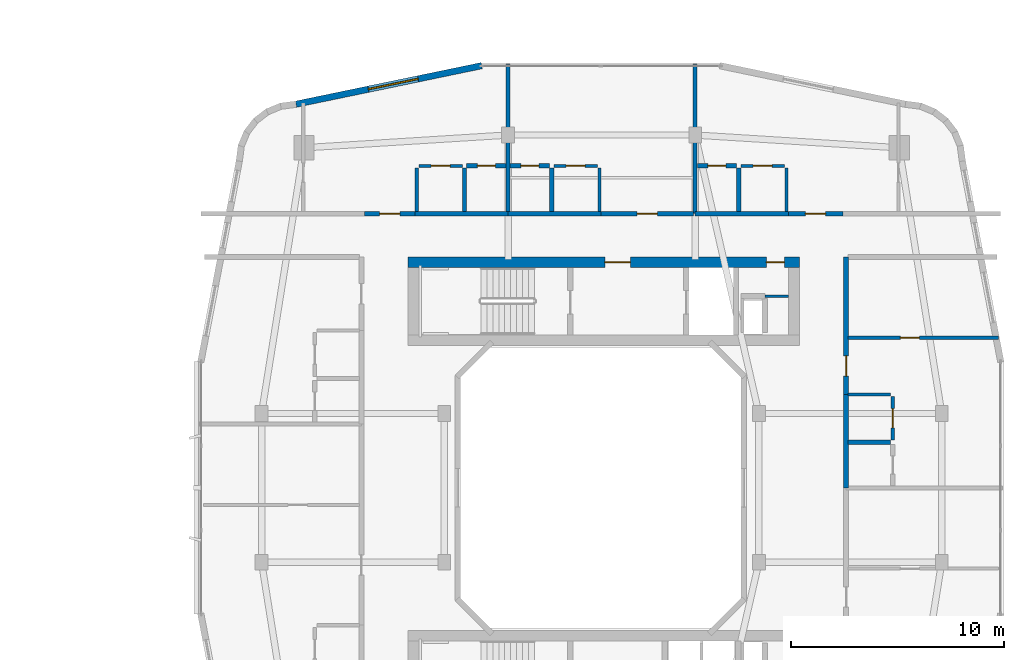
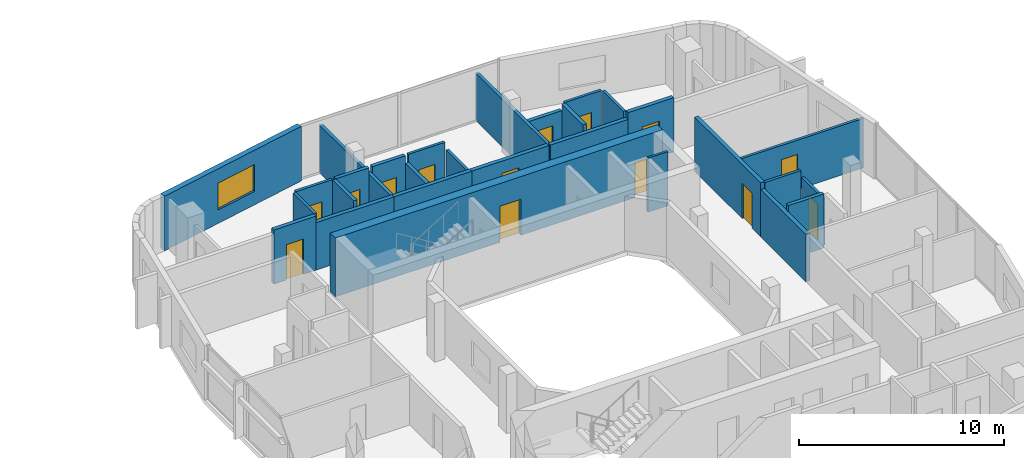
# One storey, part 20 of 27: 29 walls, 14 doors, 1 window, 15 openings.
"""IFC4 building model written with IfcOpenShell, lengths in metres."""

from ifc_helpers import new_model, si_unit, derived_unit, direction, frame, frame_2d, origin, place, context, subcontext, project, spatial, rectangle, extrude, material, layer, layer_set, type_object, element, fill, save


model = new_model("IFC4")

# Units and contexts
model_context = context("Model", 3, precision=1e-05, world=origin(), true_north=direction((0.0, 1.0)))
body_context = subcontext(model_context, "Body", "Model", "MODEL_VIEW")
ifc_project = project(units=[si_unit("LENGTHUNIT", "METRE"), si_unit("AREAUNIT", "SQUARE_METRE"), si_unit("VOLUMEUNIT", "CUBIC_METRE"), si_unit("PLANEANGLEUNIT", "RADIAN"), si_unit("MASSUNIT", "GRAM", prefix="KILO"), derived_unit("THERMALTRANSMITTANCEUNIT", [(si_unit("POWERUNIT", "WATT"), 1), (si_unit("LENGTHUNIT", "METRE"), -2), (si_unit("THERMODYNAMICTEMPERATUREUNIT", "KELVIN"), -1)])], contexts=[model_context])

# Site, building, storey
site_placement = place(None, origin())
site = spatial("IfcSite", under=ifc_project, at=site_placement, CompositionType="ELEMENT")
building_placement = place(site_placement, origin())
building = spatial("IfcBuilding", under=site, at=building_placement, Name="Kivonza Crest Hotel", CompositionType="ELEMENT")
storey_placement = place(building_placement, frame((0.0, 0.0, 76.5)))
storey = spatial("IfcBuildingStorey", under=building, at=storey_placement, Name="L20", CompositionType="ELEMENT", Elevation=76.5)

# Walls
ifc_material_1 = material(Name="High-density acoustic masonry inter-tenancy wall", Category="masonry")
ifc_layer_1 = layer(ifc_material_1, 0.179931640625)
ifc_layer_set_1 = layer_set([ifc_layer_1], Name="High-density acoustic masonry inter-tenancy wall")
wall_type_1 = type_object("IfcWallType", Name="WL-ACOU-180", PredefinedType="SOLIDWALL", material=ifc_layer_set_1)
for number, where, z_axis, x_axis, name in (
    (1, (72.60009765625, 37.89990234375, 0.0), (0.0, 0.0, 1.0), (0.0, 1.0, 0.0), "L20 interior partition WA-L20-T2N-DIV1"),
    (2, (81.39990234375, 37.89990234375, 0.0), (0.0, 0.0, 1.0), (0.0, 1.0, 0.0), "L20 interior partition WA-L20-T2N-DIV2"),
):
    element("IfcWall", number, at=place(storey_placement, frame(where, z_axis=z_axis, x_axis=x_axis)), inside=storey, type_object=wall_type_1, Name=name, PredefinedType="SOLIDWALL", context=body_context, shape_type="SweptSolid", body=[
        extrude(rectangle(XDim=7.0400390625, YDim=0.179931640625, at=frame_2d((3.52001953125, 0.0))), origin(), (0.0, 0.0, 1.0), 2.824951171875),
    ])
ifc_material_2 = material(Name="Autoclaved aerated concrete blockwork", Category="masonry")
ifc_layer_2 = layer(ifc_material_2, 0.219970703125)
ifc_layer_set_2 = layer_set([ifc_layer_2], Name="Autoclaved aerated concrete blockwork")
wall_type_2 = type_object("IfcWallType", Name="WL-ACOU-220", PredefinedType="SOLIDWALL", material=ifc_layer_set_2)
wall_1_placement = place(storey_placement, frame((68.219970703125, 37.89990234375, 0.0), z_axis=(0.0, 0.0, 1.0), x_axis=(1.0, 0.0, 0.0)))
element("IfcWall", 3, at=wall_1_placement, inside=storey, type_object=wall_type_2, Name="L20 interior partition WA-L20-A01-RCORR", PredefinedType="SOLIDWALL", context=body_context, shape_type="SweptSolid", body=[
    extrude(rectangle(XDim=4.380126953125, YDim=0.219970703125, at=frame_2d((2.18994140625, 0.0))), origin(), (0.0, 0.0, 1.0), 2.824951171875),
])

# Wall, opening, door
wall_2_placement = place(storey_placement, frame((65.85009765625, 37.89990234375, 0.0), z_axis=(0.0, 0.0, 1.0), x_axis=(1.0, 0.0, 0.0)))
wall_2 = element("IfcWall", 4, at=wall_2_placement, inside=storey, type_object=wall_type_2, Name="L20 interior partition WA-L20-A01-MCORR", PredefinedType="SOLIDWALL", context=body_context, shape_type="SweptSolid", body=[
    extrude(rectangle(XDim=2.369873046875, YDim=0.219970703125, at=frame_2d((1.18505859375, 0.0))), origin(), (0.0, 0.0, 1.0), 3.219970703125),
])
opening_1_placement = place(wall_2_placement, frame((0.7099609375, 0.0, 0.0)))
opening_1 = element("IfcOpeningElement", 5, at=opening_1_placement, cuts=wall_2, Name="Opening DU-60", PredefinedType="OPENING", context=body_context, shape_type="SweptSolid", body=[
    extrude(rectangle(XDim=0.949951171875, YDim=2.10009765625, at=frame_2d((0.47509765625, 1.050048828125))), frame((0.0, 0.1201171875, 0.0), z_axis=(0.0, -1.0, 0.0), x_axis=(1.0, 0.0, 0.0)), (0.0, 0.0, 1.0), 0.239990234375),
])
ifc_material_3 = material(Name="Hardwood timber oak", Category="wood")
door_type_1 = type_object("IfcDoorType", Name="DR-UNIT-950", OperationType="NOTDEFINED", PredefinedType="DOOR", material=ifc_material_3)
door_1_placement = place(opening_1_placement, origin())
door_1 = element("IfcDoor", 6, at=door_1_placement, inside=storey, type_object=door_type_1, Name="L20 A01 apartment entrance fire door", OperationType="SINGLE_SWING_LEFT", OverallHeight=2.10009765625, OverallWidth=0.949951171875, PredefinedType="DOOR", context=body_context, shape_type="SweptSolid", body=[
    extrude(rectangle(XDim=0.949951171875, YDim=2.10009765625, at=frame_2d((0.47509765625, 1.050048828125))), frame((0.0, 0.02490234375, 0.0), z_axis=(0.0, -1.0, 0.0), x_axis=(1.0, 0.0, 0.0)), (0.0, 0.0, 1.0), 0.050048828125),
])
fill(opening_1, door_1)

# Wall
wall_3_placement = place(storey_placement, frame((72.60009765625, 37.89990234375, 0.0), z_axis=(0.0, 0.0, 1.0), x_axis=(1.0, 0.0, 0.0)))
element("IfcWall", 7, at=wall_3_placement, inside=storey, type_object=wall_type_2, Name="L20 interior partition WA-L20-A02-LCORR", PredefinedType="SOLIDWALL", context=body_context, shape_type="SweptSolid", body=[
    extrude(rectangle(XDim=4.3798828125, YDim=0.219970703125, at=frame_2d((2.18994140625, 0.0))), origin(), (0.0, 0.0, 1.0), 2.824951171875),
])

# Wall, opening, door
wall_4_placement = place(storey_placement, frame((76.97998046875, 37.89990234375, 0.0), z_axis=(0.0, 0.0, 1.0), x_axis=(1.0, 0.0, 0.0)))
wall_4 = element("IfcWall", 8, at=wall_4_placement, inside=storey, type_object=wall_type_2, Name="L20 interior partition WA-L20-A02-MCORR", PredefinedType="SOLIDWALL", context=body_context, shape_type="SweptSolid", body=[
    extrude(rectangle(XDim=4.340087890625, YDim=0.219970703125, at=frame_2d((2.169921875, 0.0))), origin(), (0.0, 0.0, 1.0), 2.824951171875),
])
opening_2_placement = place(wall_4_placement, frame((1.695068359375, 0.0, 0.0)))
opening_2 = element("IfcOpeningElement", 9, at=opening_2_placement, cuts=wall_4, Name="Opening DU-60", PredefinedType="OPENING", context=body_context, shape_type="SweptSolid", body=[
    extrude(rectangle(XDim=0.949951171875, YDim=2.10009765625, at=frame_2d((0.47509765625, 1.050048828125))), frame((0.0, 0.1201171875, 0.0), z_axis=(0.0, -1.0, 0.0), x_axis=(1.0, 0.0, 0.0)), (0.0, 0.0, 1.0), 0.239990234375),
])
door_2_placement = place(opening_2_placement, origin())
door_2 = element("IfcDoor", 10, at=door_2_placement, inside=storey, type_object=door_type_1, Name="L20 A02 apartment entrance fire door", OperationType="SINGLE_SWING_RIGHT", OverallHeight=2.10009765625, OverallWidth=0.949951171875, PredefinedType="DOOR", context=body_context, shape_type="SweptSolid", body=[
    extrude(rectangle(XDim=0.949951171875, YDim=2.10009765625, at=frame_2d((0.47509765625, 1.050048828125))), frame((0.0, 0.02490234375, 0.0), z_axis=(0.0, -1.0, 0.0), x_axis=(1.0, 0.0, 0.0)), (0.0, 0.0, 1.0), 0.050048828125),
])
fill(opening_2, door_2)

# Wall
wall_5_placement = place(storey_placement, frame((81.39990234375, 37.89990234375, 0.0), z_axis=(0.0, 0.0, 1.0), x_axis=(1.0, 0.0, 0.0)))
element("IfcWall", 11, at=wall_5_placement, inside=storey, type_object=wall_type_2, Name="L20 interior partition WA-L20-A03-LCORR", PredefinedType="SOLIDWALL", context=body_context, shape_type="SweptSolid", body=[
    extrude(rectangle(XDim=4.380126953125, YDim=0.219970703125, at=frame_2d((2.18994140625, 0.0))), origin(), (0.0, 0.0, 1.0), 2.824951171875),
])

# Wall, opening, door
wall_6_placement = place(storey_placement, frame((85.780029296875, 37.89990234375, 0.0), z_axis=(0.0, 0.0, 1.0), x_axis=(1.0, 0.0, 0.0)))
wall_6 = element("IfcWall", 12, at=wall_6_placement, inside=storey, type_object=wall_type_2, Name="L20 interior partition WA-L20-A03-MCORR", PredefinedType="SOLIDWALL", context=body_context, shape_type="SweptSolid", body=[
    extrude(rectangle(XDim=2.570068359375, YDim=0.219970703125, at=frame_2d((1.28515625, 0.0))), origin(), (0.0, 0.0, 1.0), 3.219970703125),
])
opening_3_placement = place(wall_6_placement, frame((0.81005859375, 0.0, 0.0)))
opening_3 = element("IfcOpeningElement", 13, at=opening_3_placement, cuts=wall_6, Name="Opening DU-60", PredefinedType="OPENING", context=body_context, shape_type="SweptSolid", body=[
    extrude(rectangle(XDim=0.949951171875, YDim=2.10009765625, at=frame_2d((0.47509765625, 1.050048828125))), frame((0.0, 0.1201171875, 0.0), z_axis=(0.0, -1.0, 0.0), x_axis=(1.0, 0.0, 0.0)), (0.0, 0.0, 1.0), 0.239990234375),
])
door_3_placement = place(opening_3_placement, origin())
door_3 = element("IfcDoor", 14, at=door_3_placement, inside=storey, type_object=door_type_1, Name="L20 A03 apartment entrance fire door", OperationType="SINGLE_SWING_LEFT", OverallHeight=2.10009765625, OverallWidth=0.949951171875, PredefinedType="DOOR", context=body_context, shape_type="SweptSolid", body=[
    extrude(rectangle(XDim=0.949951171875, YDim=2.10009765625, at=frame_2d((0.47509765625, 1.050048828125))), frame((0.0, 0.02490234375, 0.0), z_axis=(0.0, -1.0, 0.0), x_axis=(1.0, 0.0, 0.0)), (0.0, 0.0, 1.0), 0.050048828125),
])
fill(opening_3, door_3)

# Wall
wall_7_placement = place(storey_placement, frame((88.5, 25.0, 0.0), z_axis=(0.0, 0.0, 1.0), x_axis=(0.0, 1.0, 0.0)))
element("IfcWall", 15, at=wall_7_placement, inside=storey, type_object=wall_type_2, Name="L20 interior partition WA-L20-A09-BCORR", PredefinedType="SOLIDWALL", context=body_context, shape_type="SweptSolid", body=[
    extrude(rectangle(XDim=4.39990234375, YDim=0.219970703125, at=frame_2d((2.199951171875, 0.0))), origin(), (0.0, 0.0, 1.0), 2.824951171875),
])

# Wall, opening, door
wall_8_placement = place(storey_placement, frame((88.5, 29.39990234375, 0.0), z_axis=(0.0, 0.0, 1.0), x_axis=(0.0, 1.0, 0.0)))
wall_8 = element("IfcWall", 16, at=wall_8_placement, inside=storey, type_object=wall_type_2, Name="L20 interior partition WA-L20-A09-MCORR", PredefinedType="SOLIDWALL", context=body_context, shape_type="SweptSolid", body=[
    extrude(rectangle(XDim=6.460205078125, YDim=0.219970703125, at=frame_2d((3.22998046875, 0.0))), origin(), (0.0, 0.0, 1.0), 3.219970703125),
])
opening_4_placement = place(wall_8_placement, frame((0.85498046875, 0.0, 0.0)))
opening_4 = element("IfcOpeningElement", 17, at=opening_4_placement, cuts=wall_8, Name="Opening DU-60", PredefinedType="OPENING", context=body_context, shape_type="SweptSolid", body=[
    extrude(rectangle(XDim=0.949951171875, YDim=2.10009765625, at=frame_2d((0.47509765625, 1.050048828125))), frame((0.0, 0.1201171875, 0.0), z_axis=(0.0, -1.0, 0.0), x_axis=(1.0, 0.0, 0.0)), (0.0, 0.0, 1.0), 0.239990234375),
])
door_4_placement = place(opening_4_placement, frame((0.949951171875, 0.0, 0.0), z_axis=(0.0, 0.0, 1.0), x_axis=(-1.0, 0.0, 0.0)))
door_4 = element("IfcDoor", 18, at=door_4_placement, inside=storey, type_object=door_type_1, Name="L20 A09 apartment entrance fire door", OperationType="SINGLE_SWING_LEFT", OverallHeight=2.10009765625, OverallWidth=0.949951171875, PredefinedType="DOOR", context=body_context, shape_type="SweptSolid", body=[
    extrude(rectangle(XDim=0.949951171875, YDim=2.10009765625, at=frame_2d((0.47509765625, 1.050048828125))), frame((0.0, 0.02490234375, 0.0), z_axis=(0.0, -1.0, 0.0), x_axis=(1.0, 0.0, 0.0)), (0.0, 0.0, 1.0), 0.050048828125),
])
fill(opening_4, door_4)

# Wall, openings, doors
ifc_material_4 = material(Name="Concrete C60/75", Category="concrete")
ifc_layer_3 = layer(ifc_material_4, 0.5)
ifc_layer_set_3 = layer_set([ifc_layer_3], Name="Concrete C60/75")
wall_type_3 = type_object("IfcWallType", Name="WL-CORE-500", PredefinedType="SHEAR", material=ifc_layer_set_3)
wall_9_placement = place(storey_placement, frame((67.89990234375, 35.610107421875, 0.0), z_axis=(0.0, 0.0, 1.0), x_axis=(1.0, 0.0, 0.0)))
wall_9 = element("IfcWall", 19, at=wall_9_placement, inside=storey, type_object=wall_type_3, Name="Core wall T2-N North L20", PredefinedType="SHEAR", context=body_context, shape_type="SweptSolid", body=[
    extrude(rectangle(XDim=18.400146484375, YDim=0.5, at=frame_2d((9.2001953125, 0.0))), origin(), (0.0, 0.0, 1.0), 3.5),
])
opening_5_placement = place(wall_9_placement, frame((9.25, 0.0, 0.0)))
opening_5 = element("IfcOpeningElement", 20, at=opening_5_placement, cuts=wall_9, Name="Opening DF-60", PredefinedType="OPENING", context=body_context, shape_type="SweptSolid", body=[
    extrude(rectangle(XDim=1.199951171875, YDim=2.14990234375, at=frame_2d((0.60009765625, 1.074951171875))), frame((0.0, 0.260009765625, 0.0), z_axis=(0.0, -1.0, 0.0), x_axis=(1.0, 0.0, 0.0)), (0.0, 0.0, 1.0), 0.52001953125),
])
opening_6_placement = place(wall_9_placement, frame((16.85009765625, 0.0, 0.0)))
opening_6 = element("IfcOpeningElement", 21, at=opening_6_placement, cuts=wall_9, Name="Opening DF-60R", PredefinedType="OPENING", context=body_context, shape_type="SweptSolid", body=[
    extrude(rectangle(XDim=0.85009765625, YDim=2.10009765625, at=frame_2d((0.425048828125, 1.050048828125))), frame((0.0, 0.260009765625, 0.0), z_axis=(0.0, -1.0, 0.0), x_axis=(1.0, 0.0, 0.0)), (0.0, 0.0, 1.0), 0.52001953125),
])
door_type_2 = type_object("IfcDoorType", Name="DR-FD60-1200", OperationType="NOTDEFINED", PredefinedType="DOOR", material=ifc_material_3)
door_5_placement = place(opening_5_placement, origin())
door_5 = element("IfcDoor", 22, at=door_5_placement, inside=storey, type_object=door_type_2, Name="L20 T2-N firefighting lobby fire door", OperationType="SINGLE_SWING_RIGHT", OverallHeight=2.14990234375, OverallWidth=1.199951171875, PredefinedType="DOOR", context=body_context, shape_type="SweptSolid", body=[
    extrude(rectangle(XDim=1.199951171875, YDim=2.14990234375, at=frame_2d((0.60009765625, 1.074951171875))), frame((0.0, 0.02490234375, 0.0), z_axis=(0.0, -1.0, 0.0), x_axis=(1.0, 0.0, 0.0)), (0.0, 0.0, 1.0), 0.050048828125),
])
fill(opening_5, door_5)
door_type_3 = type_object("IfcDoorType", Name="DR-FD60-850", OperationType="NOTDEFINED", PredefinedType="DOOR", material=ifc_material_3)
door_6_placement = place(opening_6_placement, origin())
door_6 = element("IfcDoor", 23, at=door_6_placement, inside=storey, type_object=door_type_3, Name="L20 T2-N core room door", OperationType="SINGLE_SWING_RIGHT", OverallHeight=2.10009765625, OverallWidth=0.85009765625, PredefinedType="DOOR", context=body_context, shape_type="SweptSolid", body=[
    extrude(rectangle(XDim=0.85009765625, YDim=2.10009765625, at=frame_2d((0.425048828125, 1.050048828125))), frame((0.0, 0.02490234375, 0.0), z_axis=(0.0, -1.0, 0.0), x_axis=(1.0, 0.0, 0.0)), (0.0, 0.0, 1.0), 0.050048828125),
])
fill(opening_6, door_6)

# Wall, opening, window
ifc_material_5 = material(Name="Precast concrete C40/50", Category="concrete")
ifc_layer_4 = layer(ifc_material_5, 0.300048828125)
ifc_layer_set_4 = layer_set([ifc_layer_4], Name="Precast concrete C40/50")
wall_type_4 = type_object("IfcWallType", Name="WL-EXT-300", PredefinedType="STANDARD", material=ifc_layer_set_4)
wall_10_placement = place(storey_placement, frame((71.35595703125, 44.864013671875, 0.0), z_axis=(0.0, 0.0, 1.0), x_axis=(-0.979127260729, -0.203248142175, 0.0)))
wall_10 = element("IfcWall", 24, at=wall_10_placement, inside=storey, type_object=wall_type_4, Name="L20 T2 exterior insulated wall 27", PredefinedType="STANDARD", context=body_context, shape_type="SweptSolid", body=[
    extrude(rectangle(XDim=8.920166015625, YDim=0.300048828125, at=frame_2d((4.4599609375, 0.0))), origin(), (0.0, 0.0, 1.0), 3.25),
])
opening_7_placement = place(wall_10_placement, frame((3.048095703125, 0.0, 0.800048828125)))
opening_7 = element("IfcOpeningElement", 25, at=opening_7_placement, cuts=wall_10, Name="Opening WN-05", PredefinedType="OPENING", context=body_context, shape_type="SweptSolid", body=[
    extrude(rectangle(XDim=2.39990234375, YDim=1.60009765625, at=frame_2d((1.199951171875, 0.800048828125))), frame((0.0, 0.16015625, 0.0), z_axis=(0.0, -1.0, 0.0), x_axis=(1.0, 0.0, 0.0)), (0.0, 0.0, 1.0), 0.320068359375),
])
ifc_material_6 = material(Name="Thermally broken bronze aluminium and low-E double glazing", Category="aluminium")
window_type = type_object("IfcWindowType", Name="WN-240x160", PartitioningType="TRIPLE_PANEL_VERTICAL", PredefinedType="WINDOW", material=ifc_material_6)
window_placement = place(opening_7_placement, origin())
window = element("IfcWindow", 26, at=window_placement, inside=storey, type_object=window_type, Name="L20 T2 facade window 27", OverallHeight=1.60009765625, OverallWidth=2.39990234375, PartitioningType="SINGLE_PANEL", PredefinedType="WINDOW", context=body_context, shape_type="SweptSolid", body=[
    extrude(rectangle(XDim=2.39990234375, YDim=1.60009765625, at=frame_2d((1.199951171875, 0.800048828125))), frame((0.0, 0.030029296875, 0.0), z_axis=(0.0, -1.0, 0.0), x_axis=(1.0, 0.0, 0.0)), (0.0, 0.0, 1.0), 0.06005859375),
])
fill(opening_7, window)

# Walls
ifc_material_7 = material(Name="Metal-stud gypsum board partition", Category="gypsum")
ifc_layer_5 = layer(ifc_material_7, 0.125)
ifc_layer_set_5 = layer_set([ifc_layer_5], Name="Metal-stud gypsum board partition")
wall_type_5 = type_object("IfcWallType", Name="WL-PART-125", PredefinedType="PARTITIONING", material=ifc_layer_set_5)
wall_11_placement = place(storey_placement, frame((84.679931640625, 34.02001953125, 0.0), z_axis=(0.0, 0.0, 1.0), x_axis=(1.0, 0.0, 0.0)))
element("IfcWall", 27, at=wall_11_placement, inside=storey, type_object=wall_type_5, Name="L20 interior partition WP-L20-T2-N-T2H", PredefinedType="PARTITIONING", context=body_context, shape_type="SweptSolid", body=[
    extrude(rectangle(XDim=1.1201171875, YDim=0.125, at=frame_2d((0.56005859375, 0.0))), origin(), (0.0, 0.0, 1.0), 3.219970703125),
])
ifc_material_8 = material(Name="Twin-stud acoustic gypsum board partition", Category="gypsum")
ifc_layer_6 = layer(ifc_material_8, 0.14990234375)
ifc_layer_set_6 = layer_set([ifc_layer_6], Name="Twin-stud acoustic gypsum board partition")
wall_type_6 = type_object("IfcWallType", Name="WL-PART-150", PredefinedType="PARTITIONING", material=ifc_layer_set_6)
wall_12_placement = place(storey_placement, frame((68.300048828125, 38.0, 0.0), z_axis=(0.0, 0.0, 1.0), x_axis=(0.0, 1.0, 0.0)))
element("IfcWall", 28, at=wall_12_placement, inside=storey, type_object=wall_type_6, Name="L20 interior partition WP-L20-A01-KF", PredefinedType="PARTITIONING", context=body_context, shape_type="SweptSolid", body=[
    extrude(rectangle(XDim=2.050048828125, YDim=0.14990234375, at=frame_2d((1.02490234375, 0.0))), origin(), (0.0, 0.0, 1.0), 3.219970703125),
])

# Wall, opening, door
wall_13_placement = place(storey_placement, frame((68.39990234375, 40.14990234375, 0.0), z_axis=(0.0, 0.0, 1.0), x_axis=(1.0, 0.0, 0.0)))
wall_13 = element("IfcWall", 29, at=wall_13_placement, inside=storey, type_object=wall_type_6, Name="L20 interior partition WP-L20-A01-KSVC", PredefinedType="PARTITIONING", context=body_context, shape_type="SweptSolid", body=[
    extrude(rectangle(XDim=2.050048828125, YDim=0.14990234375, at=frame_2d((1.02490234375, 0.0))), origin(), (0.0, 0.0, 1.0), 3.219970703125),
])
opening_8_placement = place(wall_13_placement, frame((0.574951171875, 0.0, 0.0)))
opening_8 = element("IfcOpeningElement", 30, at=opening_8_placement, cuts=wall_13, Name="Opening DI-90", PredefinedType="OPENING", context=body_context, shape_type="SweptSolid", body=[
    extrude(rectangle(XDim=0.89990234375, YDim=2.10009765625, at=frame_2d((0.449951171875, 1.050048828125))), frame((0.0, 0.0849609375, 0.0), z_axis=(0.0, -1.0, 0.0), x_axis=(1.0, 0.0, 0.0)), (0.0, 0.0, 1.0), 0.169921875),
])
door_type_4 = type_object("IfcDoorType", Name="DR-INT-900", OperationType="NOTDEFINED", PredefinedType="DOOR", material=ifc_material_3)
door_7_placement = place(opening_8_placement, origin())
door_7 = element("IfcDoor", 31, at=door_7_placement, inside=storey, type_object=door_type_4, Name="L20 A01 apartment kitchen door", OperationType="SINGLE_SWING_LEFT", OverallHeight=2.10009765625, OverallWidth=0.89990234375, PredefinedType="DOOR", context=body_context, shape_type="SweptSolid", body=[
    extrude(rectangle(XDim=0.89990234375, YDim=2.10009765625, at=frame_2d((0.449951171875, 1.050048828125))), frame((0.0, 0.02490234375, 0.0), z_axis=(0.0, -1.0, 0.0), x_axis=(1.0, 0.0, 0.0)), (0.0, 0.0, 1.0), 0.050048828125),
])
fill(opening_8, door_7)

# Wall
wall_14_placement = place(storey_placement, frame((76.89990234375, 38.0, 0.0), z_axis=(0.0, 0.0, 1.0), x_axis=(0.0, 1.0, 0.0)))
element("IfcWall", 32, at=wall_14_placement, inside=storey, type_object=wall_type_6, Name="L20 interior partition WP-L20-A02-KF", PredefinedType="PARTITIONING", context=body_context, shape_type="SweptSolid", body=[
    extrude(rectangle(XDim=2.050048828125, YDim=0.14990234375, at=frame_2d((1.02490234375, 0.0))), origin(), (0.0, 0.0, 1.0), 2.77490234375),
])

# Wall, opening, door
wall_15_placement = place(storey_placement, frame((74.75, 40.14990234375, 0.0), z_axis=(0.0, 0.0, 1.0), x_axis=(1.0, 0.0, 0.0)))
wall_15 = element("IfcWall", 33, at=wall_15_placement, inside=storey, type_object=wall_type_6, Name="L20 interior partition WP-L20-A02-KSVC", PredefinedType="PARTITIONING", context=body_context, shape_type="SweptSolid", body=[
    extrude(rectangle(XDim=2.050048828125, YDim=0.14990234375, at=frame_2d((1.02490234375, 0.0))), origin(), (0.0, 0.0, 1.0), 3.219970703125),
])
opening_9_placement = place(wall_15_placement, frame((0.574951171875, 0.0, 0.0)))
opening_9 = element("IfcOpeningElement", 34, at=opening_9_placement, cuts=wall_15, Name="Opening DI-90", PredefinedType="OPENING", context=body_context, shape_type="SweptSolid", body=[
    extrude(rectangle(XDim=0.89990234375, YDim=2.10009765625, at=frame_2d((0.449951171875, 1.050048828125))), frame((0.0, 0.0849609375, 0.0), z_axis=(0.0, -1.0, 0.0), x_axis=(1.0, 0.0, 0.0)), (0.0, 0.0, 1.0), 0.169921875),
])
door_8_placement = place(opening_9_placement, origin())
door_8 = element("IfcDoor", 35, at=door_8_placement, inside=storey, type_object=door_type_4, Name="L20 A02 apartment kitchen door", OperationType="SINGLE_SWING_RIGHT", OverallHeight=2.10009765625, OverallWidth=0.89990234375, PredefinedType="DOOR", context=body_context, shape_type="SweptSolid", body=[
    extrude(rectangle(XDim=0.89990234375, YDim=2.10009765625, at=frame_2d((0.449951171875, 1.050048828125))), frame((0.0, 0.02490234375, 0.0), z_axis=(0.0, -1.0, 0.0), x_axis=(1.0, 0.0, 0.0)), (0.0, 0.0, 1.0), 0.050048828125),
])
fill(opening_9, door_8)

# Wall
wall_16_placement = place(storey_placement, frame((85.699951171875, 38.0, 0.0), z_axis=(0.0, 0.0, 1.0), x_axis=(0.0, 1.0, 0.0)))
element("IfcWall", 36, at=wall_16_placement, inside=storey, type_object=wall_type_6, Name="L20 interior partition WP-L20-A03-KF", PredefinedType="PARTITIONING", context=body_context, shape_type="SweptSolid", body=[
    extrude(rectangle(XDim=2.050048828125, YDim=0.14990234375, at=frame_2d((1.02490234375, 0.0))), origin(), (0.0, 0.0, 1.0), 3.219970703125),
])

# Wall, opening, door
wall_17_placement = place(storey_placement, frame((83.550048828125, 40.14990234375, 0.0), z_axis=(0.0, 0.0, 1.0), x_axis=(1.0, 0.0, 0.0)))
wall_17 = element("IfcWall", 37, at=wall_17_placement, inside=storey, type_object=wall_type_6, Name="L20 interior partition WP-L20-A03-KSVC", PredefinedType="PARTITIONING", context=body_context, shape_type="SweptSolid", body=[
    extrude(rectangle(XDim=2.050048828125, YDim=0.14990234375, at=frame_2d((1.02490234375, 0.0))), origin(), (0.0, 0.0, 1.0), 3.219970703125),
])
opening_10_placement = place(wall_17_placement, frame((0.574951171875, 0.0, 0.0)))
opening_10 = element("IfcOpeningElement", 38, at=opening_10_placement, cuts=wall_17, Name="Opening DI-90", PredefinedType="OPENING", context=body_context, shape_type="SweptSolid", body=[
    extrude(rectangle(XDim=0.89990234375, YDim=2.10009765625, at=frame_2d((0.449951171875, 1.050048828125))), frame((0.0, 0.0849609375, 0.0), z_axis=(0.0, -1.0, 0.0), x_axis=(1.0, 0.0, 0.0)), (0.0, 0.0, 1.0), 0.169921875),
])
door_9_placement = place(opening_10_placement, origin())
door_9 = element("IfcDoor", 39, at=door_9_placement, inside=storey, type_object=door_type_4, Name="L20 A03 apartment kitchen door", OperationType="SINGLE_SWING_LEFT", OverallHeight=2.10009765625, OverallWidth=0.89990234375, PredefinedType="DOOR", context=body_context, shape_type="SweptSolid", body=[
    extrude(rectangle(XDim=0.89990234375, YDim=2.10009765625, at=frame_2d((0.449951171875, 1.050048828125))), frame((0.0, 0.02490234375, 0.0), z_axis=(0.0, -1.0, 0.0), x_axis=(1.0, 0.0, 0.0)), (0.0, 0.0, 1.0), 0.050048828125),
])
fill(opening_10, door_9)

wall_18_placement = place(storey_placement, frame((88.60009765625, 32.06005859375, 0.0), z_axis=(0.0, 0.0, 1.0), x_axis=(1.0, 0.0, 0.0)))
wall_18 = element("IfcWall", 40, at=wall_18_placement, inside=storey, type_object=wall_type_6, Name="L20 interior partition WP-L20-A09-BD1", PredefinedType="PARTITIONING", context=body_context, shape_type="SweptSolid", body=[
    extrude(rectangle(XDim=7.059814453125, YDim=0.14990234375, at=frame_2d((3.52978515625, 0.0))), origin(), (0.0, 0.0, 1.0), 2.945068359375),
])
opening_11_placement = place(wall_18_placement, frame((2.449951171875, 0.0, 0.0)))
opening_11 = element("IfcOpeningElement", 41, at=opening_11_placement, cuts=wall_18, Name="Opening DI-90", PredefinedType="OPENING", context=body_context, shape_type="SweptSolid", body=[
    extrude(rectangle(XDim=0.89990234375, YDim=2.10009765625, at=frame_2d((0.449951171875, 1.050048828125))), frame((0.0, 0.0849609375, 0.0), z_axis=(0.0, -1.0, 0.0), x_axis=(1.0, 0.0, 0.0)), (0.0, 0.0, 1.0), 0.169921875),
])
door_10_placement = place(opening_11_placement, origin())
door_10 = element("IfcDoor", 42, at=door_10_placement, inside=storey, type_object=door_type_4, Name="L20 A09 bedroom door", OperationType="SINGLE_SWING_RIGHT", OverallHeight=2.10009765625, OverallWidth=0.89990234375, PredefinedType="DOOR", context=body_context, shape_type="SweptSolid", body=[
    extrude(rectangle(XDim=0.89990234375, YDim=2.10009765625, at=frame_2d((0.449951171875, 1.050048828125))), frame((0.0, 0.02490234375, 0.0), z_axis=(0.0, -1.0, 0.0), x_axis=(1.0, 0.0, 0.0)), (0.0, 0.0, 1.0), 0.050048828125),
])
fill(opening_11, door_10)

# Wall
wall_19_placement = place(storey_placement, frame((88.60009765625, 29.39990234375, 0.0), z_axis=(0.0, 0.0, 1.0), x_axis=(1.0, 0.0, 0.0)))
element("IfcWall", 43, at=wall_19_placement, inside=storey, type_object=wall_type_6, Name="L20 interior partition WP-L20-A09-KF", PredefinedType="PARTITIONING", context=body_context, shape_type="SweptSolid", body=[
    extrude(rectangle(XDim=2.0, YDim=0.14990234375, at=frame_2d((1.0, 0.0))), origin(), (0.0, 0.0, 1.0), 3.219970703125),
])

# Wall, opening, door
wall_20_placement = place(storey_placement, frame((90.699951171875, 27.25, 0.0), z_axis=(0.0, 0.0, 1.0), x_axis=(0.0, 1.0, 0.0)))
wall_20 = element("IfcWall", 44, at=wall_20_placement, inside=storey, type_object=wall_type_6, Name="L20 interior partition WP-L20-A09-KSVC", PredefinedType="PARTITIONING", context=body_context, shape_type="SweptSolid", body=[
    extrude(rectangle(XDim=2.050048828125, YDim=0.14990234375, at=frame_2d((1.02490234375, 0.0))), origin(), (0.0, 0.0, 1.0), 2.824951171875),
])
opening_12_placement = place(wall_20_placement, frame((0.574951171875, 0.0, 0.0)))
opening_12 = element("IfcOpeningElement", 45, at=opening_12_placement, cuts=wall_20, Name="Opening DI-90", PredefinedType="OPENING", context=body_context, shape_type="SweptSolid", body=[
    extrude(rectangle(XDim=0.89990234375, YDim=2.10009765625, at=frame_2d((0.449951171875, 1.050048828125))), frame((0.0, 0.0849609375, 0.0), z_axis=(0.0, -1.0, 0.0), x_axis=(1.0, 0.0, 0.0)), (0.0, 0.0, 1.0), 0.169921875),
])
door_11_placement = place(opening_12_placement, frame((0.89990234375, 0.0, 0.0), z_axis=(0.0, 0.0, 1.0), x_axis=(-1.0, 0.0, 0.0)))
door_11 = element("IfcDoor", 46, at=door_11_placement, inside=storey, type_object=door_type_4, Name="L20 A09 apartment kitchen door", OperationType="SINGLE_SWING_LEFT", OverallHeight=2.10009765625, OverallWidth=0.89990234375, PredefinedType="DOOR", context=body_context, shape_type="SweptSolid", body=[
    extrude(rectangle(XDim=0.89990234375, YDim=2.10009765625, at=frame_2d((0.449951171875, 1.050048828125))), frame((0.0, 0.02490234375, 0.0), z_axis=(0.0, -1.0, 0.0), x_axis=(1.0, 0.0, 0.0)), (0.0, 0.0, 1.0), 0.050048828125),
])
fill(opening_12, door_11)

# Wall
ifc_material_9 = material(Name="Moisture-resistant plumbing chase partition wall", Category="gypsum")
ifc_layer_7 = layer(ifc_material_9, 0.199951171875)
ifc_layer_set_7 = layer_set([ifc_layer_7], Name="Moisture-resistant plumbing chase partition wall")
wall_type_7 = type_object("IfcWallType", Name="WL-PLUMB-200", PredefinedType="PLUMBINGWALL", material=ifc_layer_set_7)
wall_21_placement = place(storey_placement, frame((70.550048828125, 38.0, 0.0), z_axis=(0.0, 0.0, 1.0), x_axis=(0.0, 1.0, 0.0)))
element("IfcWall", 47, at=wall_21_placement, inside=storey, type_object=wall_type_7, Name="L20 interior partition WW-L20-A01-BK", PredefinedType="PLUMBINGWALL", context=body_context, shape_type="SweptSolid", body=[
    extrude(rectangle(XDim=2.050048828125, YDim=0.199951171875, at=frame_2d((1.02490234375, 0.0))), origin(), (0.0, 0.0, 1.0), 3.219970703125),
])

# Wall, opening, door
wall_22_placement = place(storey_placement, frame((70.64990234375, 40.14990234375, 0.0), z_axis=(0.0, 0.0, 1.0), x_axis=(1.0, 0.0, 0.0)))
wall_22 = element("IfcWall", 48, at=wall_22_placement, inside=storey, type_object=wall_type_7, Name="L20 interior partition WW-L20-A01-BSVC", PredefinedType="PLUMBINGWALL", context=body_context, shape_type="SweptSolid", body=[
    extrude(rectangle(XDim=1.85009765625, YDim=0.199951171875, at=frame_2d((0.925048828125, 0.0))), origin(), (0.0, 0.0, 1.0), 3.219970703125),
])
opening_13_placement = place(wall_22_placement, frame((0.5, 0.0, 0.0)))
opening_13 = element("IfcOpeningElement", 49, at=opening_13_placement, cuts=wall_22, Name="Opening DI-85", PredefinedType="OPENING", context=body_context, shape_type="SweptSolid", body=[
    extrude(rectangle(XDim=0.85009765625, YDim=2.10009765625, at=frame_2d((0.425048828125, 1.050048828125))), frame((0.0, 0.10986328125, 0.0), z_axis=(0.0, -1.0, 0.0), x_axis=(1.0, 0.0, 0.0)), (0.0, 0.0, 1.0), 0.219970703125),
])
door_type_5 = type_object("IfcDoorType", Name="DR-INT-850", OperationType="NOTDEFINED", PredefinedType="DOOR", material=ifc_material_3)
door_12_placement = place(opening_13_placement, origin())
door_12 = element("IfcDoor", 50, at=door_12_placement, inside=storey, type_object=door_type_5, Name="L20 A01 apartment bathroom door", OperationType="SINGLE_SWING_RIGHT", OverallHeight=2.10009765625, OverallWidth=0.85009765625, PredefinedType="DOOR", context=body_context, shape_type="SweptSolid", body=[
    extrude(rectangle(XDim=0.85009765625, YDim=2.10009765625, at=frame_2d((0.425048828125, 1.050048828125))), frame((0.0, 0.02490234375, 0.0), z_axis=(0.0, -1.0, 0.0), x_axis=(1.0, 0.0, 0.0)), (0.0, 0.0, 1.0), 0.050048828125),
])
fill(opening_13, door_12)

# Wall
wall_23_placement = place(storey_placement, frame((74.64990234375, 38.0, 0.0), z_axis=(0.0, 0.0, 1.0), x_axis=(0.0, 1.0, 0.0)))
element("IfcWall", 51, at=wall_23_placement, inside=storey, type_object=wall_type_7, Name="L20 interior partition WW-L20-A02-BK", PredefinedType="PLUMBINGWALL", context=body_context, shape_type="SweptSolid", body=[
    extrude(rectangle(XDim=2.050048828125, YDim=0.199951171875, at=frame_2d((1.02490234375, 0.0))), origin(), (0.0, 0.0, 1.0), 2.77490234375),
])

# Wall, opening, door
wall_24_placement = place(storey_placement, frame((72.699951171875, 40.14990234375, 0.0), z_axis=(0.0, 0.0, 1.0), x_axis=(1.0, 0.0, 0.0)))
wall_24 = element("IfcWall", 52, at=wall_24_placement, inside=storey, type_object=wall_type_7, Name="L20 interior partition WW-L20-A02-BSVC", PredefinedType="PLUMBINGWALL", context=body_context, shape_type="SweptSolid", body=[
    extrude(rectangle(XDim=1.85009765625, YDim=0.199951171875, at=frame_2d((0.925048828125, 0.0))), origin(), (0.0, 0.0, 1.0), 3.219970703125),
])
opening_14_placement = place(wall_24_placement, frame((0.5, 0.0, 0.0)))
opening_14 = element("IfcOpeningElement", 53, at=opening_14_placement, cuts=wall_24, Name="Opening DI-85", PredefinedType="OPENING", context=body_context, shape_type="SweptSolid", body=[
    extrude(rectangle(XDim=0.85009765625, YDim=2.10009765625, at=frame_2d((0.425048828125, 1.050048828125))), frame((0.0, 0.10986328125, 0.0), z_axis=(0.0, -1.0, 0.0), x_axis=(1.0, 0.0, 0.0)), (0.0, 0.0, 1.0), 0.219970703125),
])
door_13_placement = place(opening_14_placement, origin())
door_13 = element("IfcDoor", 54, at=door_13_placement, inside=storey, type_object=door_type_5, Name="L20 A02 apartment bathroom door", OperationType="SINGLE_SWING_LEFT", OverallHeight=2.10009765625, OverallWidth=0.85009765625, PredefinedType="DOOR", context=body_context, shape_type="SweptSolid", body=[
    extrude(rectangle(XDim=0.85009765625, YDim=2.10009765625, at=frame_2d((0.425048828125, 1.050048828125))), frame((0.0, 0.02490234375, 0.0), z_axis=(0.0, -1.0, 0.0), x_axis=(1.0, 0.0, 0.0)), (0.0, 0.0, 1.0), 0.050048828125),
])
fill(opening_14, door_13)

# Wall
wall_25_placement = place(storey_placement, frame((83.449951171875, 38.0, 0.0), z_axis=(0.0, 0.0, 1.0), x_axis=(0.0, 1.0, 0.0)))
element("IfcWall", 55, at=wall_25_placement, inside=storey, type_object=wall_type_7, Name="L20 interior partition WW-L20-A03-BK", PredefinedType="PLUMBINGWALL", context=body_context, shape_type="SweptSolid", body=[
    extrude(rectangle(XDim=2.050048828125, YDim=0.199951171875, at=frame_2d((1.02490234375, 0.0))), origin(), (0.0, 0.0, 1.0), 3.219970703125),
])

# Wall, opening, door
wall_26_placement = place(storey_placement, frame((81.5, 40.14990234375, 0.0), z_axis=(0.0, 0.0, 1.0), x_axis=(1.0, 0.0, 0.0)))
wall_26 = element("IfcWall", 56, at=wall_26_placement, inside=storey, type_object=wall_type_7, Name="L20 interior partition WW-L20-A03-BSVC", PredefinedType="PLUMBINGWALL", context=body_context, shape_type="SweptSolid", body=[
    extrude(rectangle(XDim=1.85009765625, YDim=0.199951171875, at=frame_2d((0.925048828125, 0.0))), origin(), (0.0, 0.0, 1.0), 2.824951171875),
])
opening_15_placement = place(wall_26_placement, frame((0.5, 0.0, 0.0)))
opening_15 = element("IfcOpeningElement", 57, at=opening_15_placement, cuts=wall_26, Name="Opening DI-85", PredefinedType="OPENING", context=body_context, shape_type="SweptSolid", body=[
    extrude(rectangle(XDim=0.85009765625, YDim=2.10009765625, at=frame_2d((0.425048828125, 1.050048828125))), frame((0.0, 0.10986328125, 0.0), z_axis=(0.0, -1.0, 0.0), x_axis=(1.0, 0.0, 0.0)), (0.0, 0.0, 1.0), 0.219970703125),
])
door_14_placement = place(opening_15_placement, origin())
door_14 = element("IfcDoor", 58, at=door_14_placement, inside=storey, type_object=door_type_5, Name="L20 A03 apartment bathroom door", OperationType="SINGLE_SWING_RIGHT", OverallHeight=2.10009765625, OverallWidth=0.85009765625, PredefinedType="DOOR", context=body_context, shape_type="SweptSolid", body=[
    extrude(rectangle(XDim=0.85009765625, YDim=2.10009765625, at=frame_2d((0.425048828125, 1.050048828125))), frame((0.0, 0.02490234375, 0.0), z_axis=(0.0, -1.0, 0.0), x_axis=(1.0, 0.0, 0.0)), (0.0, 0.0, 1.0), 0.050048828125),
])
fill(opening_15, door_14)

# Wall
wall_27_placement = place(storey_placement, frame((88.60009765625, 27.14990234375, 0.0), z_axis=(0.0, 0.0, 1.0), x_axis=(1.0, 0.0, 0.0)))
element("IfcWall", 59, at=wall_27_placement, inside=storey, type_object=wall_type_7, Name="L20 interior partition WW-L20-A09-BK", PredefinedType="PLUMBINGWALL", context=body_context, shape_type="SweptSolid", body=[
    extrude(rectangle(XDim=2.0, YDim=0.199951171875, at=frame_2d((1.0, 0.0))), origin(), (0.0, 0.0, 1.0), 3.219970703125),
])

save(model, "model.ifc")
